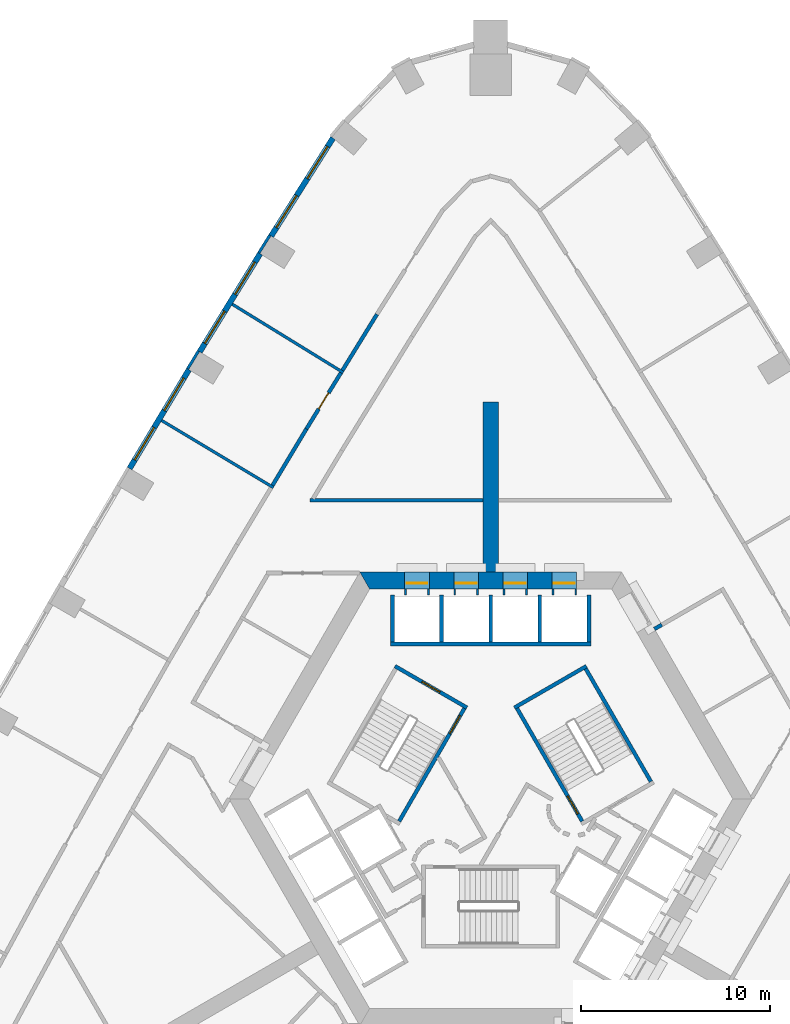
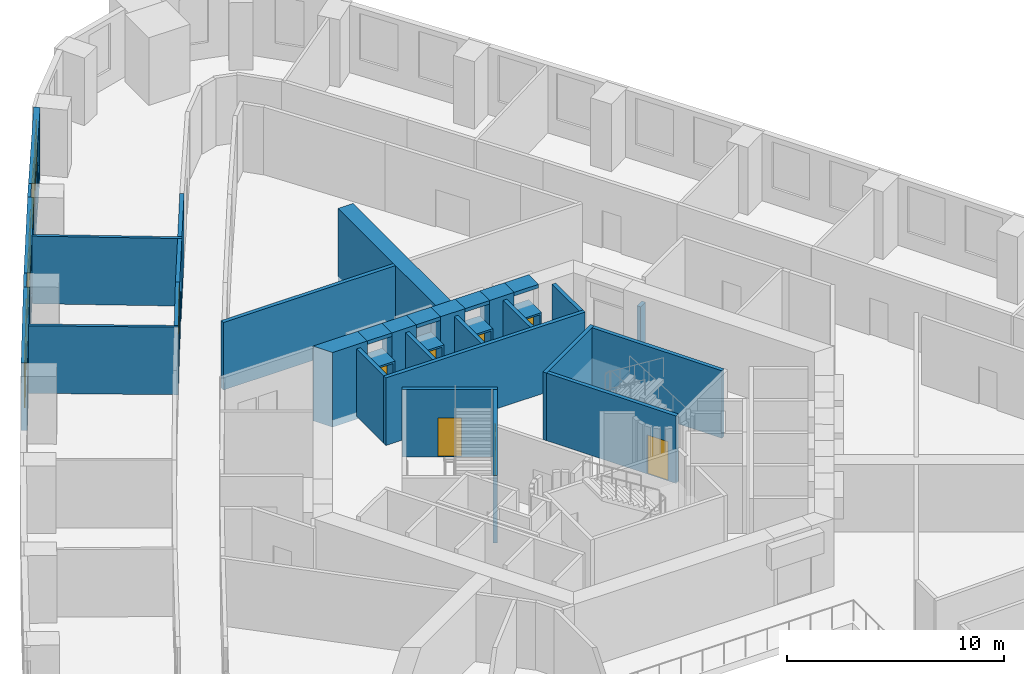
# One storey, part 9 of 14: 36 walls, 8 doors, 6 windows, 14 openings.
"""IFC4 building model written with IfcOpenShell, lengths in metres."""

from ifc_helpers import new_model, si_unit, direction, frame, frame_2d, origin, place, context, subcontext, project, spatial, polyline, rectangle, outline, extrude, material, layer, layer_set, type_object, element, fill, save


model = new_model("IFC4")

# Units and contexts
model_context = context("Model", 3, precision=1e-05, world=origin(), true_north=direction((0.0, 1.0)))
body_context = subcontext(model_context, "Body", "Model", "MODEL_VIEW")
ifc_project = project(units=[si_unit("LENGTHUNIT", "METRE"), si_unit("AREAUNIT", "SQUARE_METRE"), si_unit("VOLUMEUNIT", "CUBIC_METRE"), si_unit("PLANEANGLEUNIT", "RADIAN"), si_unit("MASSUNIT", "GRAM", prefix="KILO")], contexts=[model_context])

# Site, building, storey
site_placement = place(None, origin())
site = spatial("IfcSite", under=ifc_project, at=site_placement, CompositionType="ELEMENT")
building_placement = place(site_placement, origin())
building = spatial("IfcBuilding", under=site, at=building_placement, Name="Entoto Arch Interchange Tower", CompositionType="ELEMENT")
storey_placement = place(building_placement, frame((0.0, 0.0, 103.39990234375)))
storey = spatial("IfcBuildingStorey", under=building, at=storey_placement, Name="L22", CompositionType="ELEMENT", Elevation=103.39990234375)

# Walls
ifc_material_1 = material(Name="Concrete C60/75", Category="concrete")
ifc_layer_1 = layer(ifc_material_1, 0.800048828125)
ifc_layer_set_1 = layer_set([ifc_layer_1], Name="Concrete C60/75")
wall_type_1 = type_object("IfcWallType", Name="Buttress wall 800 C60/75", PredefinedType="SHEAR", material=ifc_layer_set_1)
wall_1_placement = place(storey_placement, frame((0.0, 14.5, -0.39990234375), z_axis=(0.0, 0.0, 1.0), x_axis=(0.0, 1.0, 0.0)))
element("IfcWall", 1, at=wall_1_placement, inside=storey, type_object=wall_type_1, Name="Buttress wall N L22", PredefinedType="SHEAR", context=body_context, shape_type="SweptSolid", body=[
    extrude(rectangle(XDim=9.0, YDim=0.800048828125, at=frame_2d((4.5, 0.0))), origin(), (0.0, 0.0, 1.0), 4.199951171875),
])
ifc_layer_2 = layer(ifc_material_1, 0.89990234375)
ifc_layer_set_2 = layer_set([ifc_layer_2], Name="Concrete C60/75")
wall_type_2 = type_object("IfcWallType", Name="Core wall 900 C60/75", PredefinedType="SHEAR", material=ifc_layer_set_2)
wall_2_placement = place(storey_placement, frame((0.0, 0.0, -0.39990234375)))
element("IfcWall", 2, at=wall_2_placement, inside=storey, type_object=wall_type_2, Name="Core wall N L22", PredefinedType="SHEAR", context=body_context, shape_type="SweptSolid", body=[
    extrude(outline(polyline([(1.949951171875, 14.5), (1.949951171875, 13.60009765625), (3.25, 13.60009765625), (3.25, 14.5), (1.949951171875, 14.5)])), origin(), (0.0, 0.0, 1.0), 4.199951171875),
])
wall_3_placement = place(storey_placement, frame((0.0, 0.0, -0.39990234375)))
element("IfcWall", 3, at=wall_3_placement, inside=storey, type_object=wall_type_2, Name="Core wall N L22", PredefinedType="SHEAR", context=body_context, shape_type="SweptSolid", body=[
    extrude(outline(polyline([(-0.64990234375, 14.5), (-0.64990234375, 13.60009765625), (0.64990234375, 13.60009765625), (0.64990234375, 14.5), (-0.64990234375, 14.5)])), origin(), (0.0, 0.0, 1.0), 4.199951171875),
])
wall_4_placement = place(storey_placement, frame((0.0, 0.0, -0.39990234375)))
element("IfcWall", 4, at=wall_4_placement, inside=storey, type_object=wall_type_2, Name="Core wall N L22", PredefinedType="SHEAR", context=body_context, shape_type="SweptSolid", body=[
    extrude(outline(polyline([(-3.25, 14.5), (-3.25, 13.60009765625), (-1.949951171875, 13.60009765625), (-1.949951171875, 14.5), (-3.25, 14.5)])), origin(), (0.0, 0.0, 1.0), 4.199951171875),
])
wall_5_placement = place(storey_placement, frame((0.0, 0.0, -0.39990234375)))
element("IfcWall", 5, at=wall_5_placement, inside=storey, type_object=wall_type_2, Name="Core wall N L22", PredefinedType="SHEAR", context=body_context, shape_type="SweptSolid", body=[
    extrude(outline(polyline([(-4.550048828125, 13.60009765625), (-4.550048828125, 14.5), (-6.927978515625, 14.5), (-6.408935546875, 13.60009765625), (-4.550048828125, 13.60009765625)])), origin(), (0.0, 0.0, 1.0), 4.199951171875),
])
wall_6_placement = place(storey_placement, frame((0.0, 0.0, 3.60009765625)))
element("IfcWall", 6, at=wall_6_placement, inside=storey, type_object=wall_type_2, Name="Core wall lintel N L22", PredefinedType="SHEAR", context=body_context, shape_type="SweptSolid", body=[
    extrude(outline(polyline([(3.25, 14.5), (3.25, 13.60009765625), (4.550048828125, 13.60009765625), (4.550048828125, 14.5), (3.25, 14.5)])), origin(), (0.0, 0.0, 1.0), 0.199951171875),
])
wall_7_placement = place(storey_placement, frame((0.0, 0.0, 3.60009765625)))
element("IfcWall", 7, at=wall_7_placement, inside=storey, type_object=wall_type_2, Name="Core wall lintel N L22", PredefinedType="SHEAR", context=body_context, shape_type="SweptSolid", body=[
    extrude(outline(polyline([(0.64990234375, 14.5), (0.64990234375, 13.60009765625), (1.949951171875, 13.60009765625), (1.949951171875, 14.5), (0.64990234375, 14.5)])), origin(), (0.0, 0.0, 1.0), 0.199951171875),
])
wall_8_placement = place(storey_placement, frame((0.0, 0.0, 3.60009765625)))
element("IfcWall", 8, at=wall_8_placement, inside=storey, type_object=wall_type_2, Name="Core wall lintel N L22", PredefinedType="SHEAR", context=body_context, shape_type="SweptSolid", body=[
    extrude(outline(polyline([(-1.949951171875, 14.5), (-1.949951171875, 13.60009765625), (-0.64990234375, 13.60009765625), (-0.64990234375, 14.5), (-1.949951171875, 14.5)])), origin(), (0.0, 0.0, 1.0), 0.199951171875),
])
wall_9_placement = place(storey_placement, frame((0.0, 0.0, 3.60009765625)))
element("IfcWall", 9, at=wall_9_placement, inside=storey, type_object=wall_type_2, Name="Core wall lintel N L22", PredefinedType="SHEAR", context=body_context, shape_type="SweptSolid", body=[
    extrude(outline(polyline([(-4.550048828125, 14.5), (-4.550048828125, 13.60009765625), (-3.25, 13.60009765625), (-3.25, 14.5), (-4.550048828125, 14.5)])), origin(), (0.0, 0.0, 1.0), 0.199951171875),
])

# Wall, opening, door
ifc_material_2 = material(Name="Concrete C40/50", Category="concrete")
ifc_layer_3 = layer(ifc_material_2, 1.199951171875)
ifc_layer_set_3 = layer_set([ifc_layer_3], Name="Concrete C40/50")
wall_type_3 = type_object("IfcWallType", Name="LIFT LANDING INFILL WALL", PredefinedType="STANDARD", material=ifc_layer_set_3)
wall_10_placement = place(storey_placement, frame((4.550048828125, 13.89990234375, 0.0), z_axis=(0.0, 0.0, 1.0), x_axis=(-1.0, 0.0, 0.0)))
wall_10 = element("IfcWall", 10, at=wall_10_placement, inside=storey, type_object=wall_type_3, Name="Lift landing infill wall LR1 L22", PredefinedType="STANDARD", context=body_context, shape_type="SweptSolid", body=[
    extrude(rectangle(XDim=1.300048828125, YDim=1.199951171875, at=frame_2d((0.64990234375, 0.0))), origin(), (0.0, 0.0, 1.0), 2.400146484375),
])
opening_1_placement = place(wall_10_placement, frame((0.10009765625, 0.0, 0.0)))
opening_1 = element("IfcOpeningElement", 11, at=opening_1_placement, cuts=wall_10, Name="Opening LD-LR1-L22", PredefinedType="OPENING", context=body_context, shape_type="SweptSolid", body=[
    extrude(rectangle(XDim=1.10009765625, YDim=2.300048828125, at=frame_2d((0.550048828125, 1.14990234375))), frame((0.0, 0.60986328125, 0.0), z_axis=(0.0, -1.0, 0.0), x_axis=(1.0, 0.0, 0.0)), (0.0, 0.0, 1.0), 1.219970703125),
])
ifc_material_3 = material(Name="Stainless steel 1.4301 panels", Category="steel")
door_type_1 = type_object("IfcDoorType", Name="LIFT LANDING DOOR LD2 1100x2300", OperationType="SLIDING_TO_LEFT", PredefinedType="DOOR", material=ifc_material_3)
door_1_placement = place(opening_1_placement, origin())
door_1 = element("IfcDoor", 12, at=door_1_placement, inside=storey, type_object=door_type_1, Name="Lift landing door LR1 L22", OperationType="SLIDING_TO_LEFT", OverallHeight=2.300048828125, OverallWidth=1.10009765625, PredefinedType="DOOR", context=body_context, shape_type="SweptSolid", body=[
    extrude(rectangle(XDim=1.10009765625, YDim=2.300048828125, at=frame_2d((0.550048828125, 1.14990234375))), frame((0.0, 0.02490234375, 0.0), z_axis=(0.0, -1.0, 0.0), x_axis=(1.0, 0.0, 0.0)), (0.0, 0.0, 1.0), 0.050048828125),
])
fill(opening_1, door_1)

wall_11_placement = place(storey_placement, frame((1.949951171875, 13.89990234375, 0.0), z_axis=(0.0, 0.0, 1.0), x_axis=(-1.0, 0.0, 0.0)))
wall_11 = element("IfcWall", 13, at=wall_11_placement, inside=storey, type_object=wall_type_3, Name="Lift landing infill wall LR2 L22", PredefinedType="STANDARD", context=body_context, shape_type="SweptSolid", body=[
    extrude(rectangle(XDim=1.300048828125, YDim=1.199951171875, at=frame_2d((0.64990234375, 0.0))), origin(), (0.0, 0.0, 1.0), 2.400146484375),
])
opening_2_placement = place(wall_11_placement, frame((0.10009765625, 0.0, 0.0)))
opening_2 = element("IfcOpeningElement", 14, at=opening_2_placement, cuts=wall_11, Name="Opening LD-LR2-L22", PredefinedType="OPENING", context=body_context, shape_type="SweptSolid", body=[
    extrude(rectangle(XDim=1.10009765625, YDim=2.300048828125, at=frame_2d((0.550048828125, 1.14990234375))), frame((0.0, 0.60986328125, 0.0), z_axis=(0.0, -1.0, 0.0), x_axis=(1.0, 0.0, 0.0)), (0.0, 0.0, 1.0), 1.219970703125),
])
door_2_placement = place(opening_2_placement, origin())
door_2 = element("IfcDoor", 15, at=door_2_placement, inside=storey, type_object=door_type_1, Name="Lift landing door LR2 L22", OperationType="SLIDING_TO_LEFT", OverallHeight=2.300048828125, OverallWidth=1.10009765625, PredefinedType="DOOR", context=body_context, shape_type="SweptSolid", body=[
    extrude(rectangle(XDim=1.10009765625, YDim=2.300048828125, at=frame_2d((0.550048828125, 1.14990234375))), frame((0.0, 0.02490234375, 0.0), z_axis=(0.0, -1.0, 0.0), x_axis=(1.0, 0.0, 0.0)), (0.0, 0.0, 1.0), 0.050048828125),
])
fill(opening_2, door_2)

wall_12_placement = place(storey_placement, frame((-0.64990234375, 13.89990234375, 0.0), z_axis=(0.0, 0.0, 1.0), x_axis=(-1.0, 0.0, 0.0)))
wall_12 = element("IfcWall", 16, at=wall_12_placement, inside=storey, type_object=wall_type_3, Name="Lift landing infill wall LR3 L22", PredefinedType="STANDARD", context=body_context, shape_type="SweptSolid", body=[
    extrude(rectangle(XDim=1.300048828125, YDim=1.199951171875, at=frame_2d((0.64990234375, 0.0))), origin(), (0.0, 0.0, 1.0), 2.400146484375),
])
opening_3_placement = place(wall_12_placement, frame((0.10009765625, 0.0, 0.0)))
opening_3 = element("IfcOpeningElement", 17, at=opening_3_placement, cuts=wall_12, Name="Opening LD-LR3-L22", PredefinedType="OPENING", context=body_context, shape_type="SweptSolid", body=[
    extrude(rectangle(XDim=1.10009765625, YDim=2.300048828125, at=frame_2d((0.550048828125, 1.14990234375))), frame((0.0, 0.60986328125, 0.0), z_axis=(0.0, -1.0, 0.0), x_axis=(1.0, 0.0, 0.0)), (0.0, 0.0, 1.0), 1.219970703125),
])
door_3_placement = place(opening_3_placement, origin())
door_3 = element("IfcDoor", 18, at=door_3_placement, inside=storey, type_object=door_type_1, Name="Lift landing door LR3 L22", OperationType="SLIDING_TO_LEFT", OverallHeight=2.300048828125, OverallWidth=1.10009765625, PredefinedType="DOOR", context=body_context, shape_type="SweptSolid", body=[
    extrude(rectangle(XDim=1.10009765625, YDim=2.300048828125, at=frame_2d((0.550048828125, 1.14990234375))), frame((0.0, 0.02490234375, 0.0), z_axis=(0.0, -1.0, 0.0), x_axis=(1.0, 0.0, 0.0)), (0.0, 0.0, 1.0), 0.050048828125),
])
fill(opening_3, door_3)

wall_13_placement = place(storey_placement, frame((-3.25, 13.89990234375, 0.0), z_axis=(0.0, 0.0, 1.0), x_axis=(-1.0, 0.0, 0.0)))
wall_13 = element("IfcWall", 19, at=wall_13_placement, inside=storey, type_object=wall_type_3, Name="Lift landing infill wall LR4 L22", PredefinedType="STANDARD", context=body_context, shape_type="SweptSolid", body=[
    extrude(rectangle(XDim=1.300048828125, YDim=1.199951171875, at=frame_2d((0.64990234375, 0.0))), origin(), (0.0, 0.0, 1.0), 2.400146484375),
])
opening_4_placement = place(wall_13_placement, frame((0.10009765625, 0.0, 0.0)))
opening_4 = element("IfcOpeningElement", 20, at=opening_4_placement, cuts=wall_13, Name="Opening LD-LR4-L22", PredefinedType="OPENING", context=body_context, shape_type="SweptSolid", body=[
    extrude(rectangle(XDim=1.10009765625, YDim=2.300048828125, at=frame_2d((0.550048828125, 1.14990234375))), frame((0.0, 0.60986328125, 0.0), z_axis=(0.0, -1.0, 0.0), x_axis=(1.0, 0.0, 0.0)), (0.0, 0.0, 1.0), 1.219970703125),
])
door_4_placement = place(opening_4_placement, origin())
door_4 = element("IfcDoor", 21, at=door_4_placement, inside=storey, type_object=door_type_1, Name="Lift landing door LR4 L22", OperationType="SLIDING_TO_LEFT", OverallHeight=2.300048828125, OverallWidth=1.10009765625, PredefinedType="DOOR", context=body_context, shape_type="SweptSolid", body=[
    extrude(rectangle(XDim=1.10009765625, YDim=2.300048828125, at=frame_2d((0.550048828125, 1.14990234375))), frame((0.0, 0.02490234375, 0.0), z_axis=(0.0, -1.0, 0.0), x_axis=(1.0, 0.0, 0.0)), (0.0, 0.0, 1.0), 0.050048828125),
])
fill(opening_4, door_4)

# Walls
ifc_layer_4 = layer(ifc_material_2, 0.199951171875)
ifc_layer_set_4 = layer_set([ifc_layer_4], Name="Concrete C40/50")
wall_type_4 = type_object("IfcWallType", Name="LIFT SHAFT WALL 200", PredefinedType="STANDARD", material=ifc_layer_set_4)
wall_14_placement = place(storey_placement, frame((5.300048828125, 10.699951171875, 0.0), z_axis=(0.0, 0.0, 1.0), x_axis=(-1.0, 0.0, 0.0)))
element("IfcWall", 22, at=wall_14_placement, inside=storey, type_object=wall_type_4, Name="Shaft wall N3 front", PredefinedType="STANDARD", context=body_context, shape_type="SweptSolid", body=[
    extrude(rectangle(XDim=10.60009765625, YDim=0.199951171875, at=frame_2d((5.300048828125, 0.0))), origin(), (0.0, 0.0, 1.0), 3.800048828125),
])
for number, where, z_axis, x_axis, name in (
    (23, (5.199951171875, 10.800048828125, 0.0), (0.0, 0.0, 1.0), (0.0, 1.0, 0.0), "Shaft wall N3 cross 1"),
    (24, (2.60009765625, 10.800048828125, 0.0), (0.0, 0.0, 1.0), (0.0, 1.0, 0.0), "Shaft wall N3 cross 2"),
    (25, (0.0, 10.800048828125, 0.0), (0.0, 0.0, 1.0), (0.0, 1.0, 0.0), "Shaft wall N3 cross 3"),
    (26, (-2.60009765625, 10.800048828125, 0.0), (0.0, 0.0, 1.0), (0.0, 1.0, 0.0), "Shaft wall N3 cross 4"),
    (27, (-5.199951171875, 10.800048828125, 0.0), (0.0, 0.0, 1.0), (0.0, 1.0, 0.0), "Shaft wall N3 cross 5"),
):
    element("IfcWall", number, at=place(storey_placement, frame(where, z_axis=z_axis, x_axis=x_axis)), inside=storey, type_object=wall_type_4, Name=name, PredefinedType="STANDARD", context=body_context, shape_type="SweptSolid", body=[
        extrude(rectangle(XDim=2.5, YDim=0.199951171875, at=frame_2d((1.25, 0.0))), origin(), (0.0, 0.0, 1.0), 3.800048828125),
    ])
ifc_material_4 = material(Name="Gypsum board partition on steel studs", Category="steel")
ifc_layer_5 = layer(ifc_material_4, 0.14990234375)
ifc_layer_set_5 = layer_set([ifc_layer_5], Name="Gypsum board partition on steel studs")
wall_type_5 = type_object("IfcWallType", Name="PARTITION 150", PredefinedType="PARTITIONING", material=ifc_layer_set_5)
wall_15_placement = place(storey_placement, frame((-7.802001953125, 25.06396484375, 0.0), z_axis=(0.0, 0.0, 1.0), x_axis=(-0.851596352662, 0.524198103901, 0.0)))
element("IfcWall", 28, at=wall_15_placement, inside=storey, type_object=wall_type_5, Name="wall:L22:p146", PredefinedType="PARTITIONING", context=body_context, shape_type="SweptSolid", body=[
    extrude(rectangle(XDim=6.89990234375, YDim=0.14990234375, at=frame_2d((3.449951171875, 0.0))), origin(), (0.0, 0.0, 1.0), 3.800048828125),
])
wall_16_placement = place(storey_placement, frame((-11.501953125, 18.97705078125, 0.0), z_axis=(0.0, 0.0, 1.0), x_axis=(-0.857464824073, 0.514542588595, 0.0)))
element("IfcWall", 29, at=wall_16_placement, inside=storey, type_object=wall_type_5, Name="wall:L22:p147", PredefinedType="PARTITIONING", context=body_context, shape_type="SweptSolid", body=[
    extrude(rectangle(XDim=6.8994140625, YDim=0.14990234375, at=frame_2d((3.44970703125, 0.0))), origin(), (0.0, 0.0, 1.0), 3.800048828125),
])
ifc_layer_6 = layer(ifc_material_4, 0.199951171875)
ifc_layer_set_6 = layer_set([ifc_layer_6], Name="Gypsum board partition on steel studs")
wall_type_6 = type_object("IfcWallType", Name="PARTITION 200", PredefinedType="PARTITIONING", material=ifc_layer_set_6)
wall_17_placement = place(storey_placement, frame((-7.847900390625, 25.179931640625, 0.0), z_axis=(0.0, 0.0, 1.0), x_axis=(0.524062258075, 0.851679957297, 0.0)))
element("IfcWall", 30, at=wall_17_placement, inside=storey, type_object=wall_type_6, Name="wall:L22:p059", PredefinedType="PARTITIONING", context=body_context, shape_type="SweptSolid", body=[
    extrude(rectangle(XDim=3.486083984375, YDim=0.199951171875, at=frame_2d((1.7431640625, 0.0))), origin(), (0.0, 0.0, 1.0), 3.800048828125),
])
wall_18_placement = place(storey_placement, frame((-11.549072265625, 19.092041015625, 0.0), z_axis=(0.0, 0.0, 1.0), x_axis=(0.514536939864, 0.857468213705, 0.0)))
element("IfcWall", 31, at=wall_18_placement, inside=storey, type_object=wall_type_6, Name="wall:L22:p065", PredefinedType="PARTITIONING", context=body_context, shape_type="SweptSolid", body=[
    extrude(rectangle(XDim=3.487060546875, YDim=0.199951171875, at=frame_2d((1.74365234375, 0.0))), origin(), (0.0, 0.0, 1.0), 3.800048828125),
])

# Wall, opening, door
wall_19_placement = place(storey_placement, frame((-9.7548828125, 22.08203125, 0.0), z_axis=(0.0, 0.0, 1.0), x_axis=(0.524140390501, 0.851631875311, 0.0)))
wall_19 = element("IfcWall", 32, at=wall_19_placement, inside=storey, type_object=wall_type_6, Name="wall:L22:p066", PredefinedType="PARTITIONING", context=body_context, shape_type="SweptSolid", body=[
    extrude(rectangle(XDim=3.4873046875, YDim=0.199951171875, at=frame_2d((1.74365234375, 0.0))), origin(), (0.0, 0.0, 1.0), 3.800048828125),
])
opening_5_placement = place(wall_19_placement, frame((1.243896484375, 0.0, 0.0)))
opening_5 = element("IfcOpeningElement", 33, at=opening_5_placement, cuts=wall_19, Name="Opening L22-D11", PredefinedType="OPENING", context=body_context, shape_type="SweptSolid", body=[
    extrude(rectangle(XDim=1.0, YDim=2.10009765625, at=frame_2d((0.5, 1.050048828125))), frame((0.0, 0.10986328125, 0.0), z_axis=(0.0, -1.0, 0.0), x_axis=(1.0, 0.0, 0.0)), (0.0, 0.0, 1.0), 0.219970703125),
])
ifc_material_5 = material(Name="Timber door leaf in Steel S235 frame", Category="steel")
door_type_2 = type_object("IfcDoorType", Name="DOOR DS-10 1000x2100", OperationType="SINGLE_SWING_LEFT", PredefinedType="DOOR", material=ifc_material_5)
door_5_placement = place(opening_5_placement, origin())
door_5 = element("IfcDoor", 34, at=door_5_placement, inside=storey, type_object=door_type_2, Name="door:L22:11", OperationType="SINGLE_SWING_LEFT", OverallHeight=2.10009765625, OverallWidth=1.0, PredefinedType="DOOR", context=body_context, shape_type="SweptSolid", body=[
    extrude(rectangle(XDim=1.0, YDim=2.10009765625, at=frame_2d((0.5, 1.050048828125))), frame((0.0, 0.02490234375, 0.0), z_axis=(0.0, -1.0, 0.0), x_axis=(1.0, 0.0, 0.0)), (0.0, 0.0, 1.0), 0.050048828125),
])
fill(opening_5, door_5)

# Walls
wall_20_placement = place(storey_placement, frame((-9.55908203125, 18.300048828125, 0.0), z_axis=(0.0, 0.0, 1.0), x_axis=(1.0, 0.0, 0.0)))
element("IfcWall", 35, at=wall_20_placement, inside=storey, type_object=wall_type_6, Name="wall:L22:p120", PredefinedType="PARTITIONING", context=body_context, shape_type="SweptSolid", body=[
    extrude(rectangle(XDim=9.1591796875, YDim=0.199951171875, at=frame_2d((4.57958984375, 0.0))), origin(), (0.0, 0.0, 1.0), 3.800048828125),
])
wall_21_placement = place(storey_placement, frame((9.056884765625, 11.712890625, 0.0), z_axis=(0.0, 0.0, 1.0), x_axis=(-0.866266849364, -0.49958157061, 0.0)))
element("IfcWall", 36, at=wall_21_placement, inside=storey, type_object=wall_type_6, Name="wall:L22:p008", PredefinedType="PARTITIONING", context=body_context, shape_type="SweptSolid", body=[
    extrude(rectangle(XDim=0.4501953125, YDim=0.199951171875, at=frame_2d((0.22509765625, 0.0))), origin(), (0.0, 0.0, 1.0), 2.400146484375),
])
ifc_layer_7 = layer(ifc_material_2, 0.199951171875)
ifc_layer_set_7 = layer_set([ifc_layer_7], Name="Concrete C40/50")
wall_type_7 = type_object("IfcWallType", Name="STAIR ENCLOSURE WALL 200", PredefinedType="STANDARD", material=ifc_layer_set_7)
wall_22_placement = place(storey_placement, frame((1.256103515625, 7.323974609375, 0.0), z_axis=(0.0, 0.0, 1.0), x_axis=(0.866046073146, 0.499964197906, 0.0)))
element("IfcWall", 37, at=wall_22_placement, inside=storey, type_object=wall_type_7, Name="Stair wall ST-NE far", PredefinedType="STANDARD", context=body_context, shape_type="SweptSolid", body=[
    extrude(rectangle(XDim=4.400146484375, YDim=0.199951171875, at=frame_2d((2.2001953125, 0.0))), origin(), (0.0, 0.0, 1.0), 3.800048828125),
])

# Wall, opening, door
wall_23_placement = place(storey_placement, frame((4.843017578125, 1.31201171875, 0.0), z_axis=(0.0, 0.0, 1.0), x_axis=(-0.499963383562, 0.866046543262, 0.0)))
wall_23 = element("IfcWall", 38, at=wall_23_placement, inside=storey, type_object=wall_type_7, Name="Stair wall ST-NE hall", PredefinedType="STANDARD", context=body_context, shape_type="SweptSolid", body=[
    extrude(rectangle(XDim=6.900390625, YDim=0.199951171875, at=frame_2d((3.4501953125, 0.0))), origin(), (0.0, 0.0, 1.0), 3.800048828125),
])
opening_6_placement = place(wall_23_placement, frame((0.449951171875, 0.0, 0.0)))
opening_6 = element("IfcOpeningElement", 39, at=opening_6_placement, cuts=wall_23, Name="Opening SD-ST-NE-L22", PredefinedType="OPENING", context=body_context, shape_type="SweptSolid", body=[
    extrude(rectangle(XDim=1.10009765625, YDim=2.199951171875, at=frame_2d((0.550048828125, 1.10009765625))), frame((0.0, 0.10986328125, 0.0), z_axis=(0.0, -1.0, 0.0), x_axis=(1.0, 0.0, 0.0)), (0.0, 0.0, 1.0), 0.219970703125),
])
ifc_material_6 = material(Name="Steel S235", Category="steel")
door_type_3 = type_object("IfcDoorType", Name="STAIR DOOR SD1 1100x2200", OperationType="SINGLE_SWING_LEFT", PredefinedType="DOOR", material=ifc_material_6)
door_6_placement = place(opening_6_placement, origin())
door_6 = element("IfcDoor", 40, at=door_6_placement, inside=storey, type_object=door_type_3, Name="Stair door ST-NE L22", OperationType="SINGLE_SWING_LEFT", OverallHeight=2.199951171875, OverallWidth=1.10009765625, PredefinedType="DOOR", context=body_context, shape_type="SweptSolid", body=[
    extrude(rectangle(XDim=1.10009765625, YDim=2.199951171875, at=frame_2d((0.550048828125, 1.10009765625))), frame((0.0, 0.02490234375, 0.0), z_axis=(0.0, -1.0, 0.0), x_axis=(1.0, 0.0, 0.0)), (0.0, 0.0, 1.0), 0.050048828125),
])
fill(opening_6, door_6)

# Wall
wall_24_placement = place(storey_placement, frame((8.47998046875, 3.412109375, 0.0), z_axis=(0.0, 0.0, 1.0), x_axis=(-0.499978703459, 0.866037698999, 0.0)))
element("IfcWall", 41, at=wall_24_placement, inside=storey, type_object=wall_type_7, Name="Stair wall ST-NE back", PredefinedType="STANDARD", context=body_context, shape_type="SweptSolid", body=[
    extrude(rectangle(XDim=6.900146484375, YDim=0.199951171875, at=frame_2d((3.4501953125, 0.0))), origin(), (0.0, 0.0, 1.0), 3.800048828125),
])

# Wall, opening, door
wall_25_placement = place(storey_placement, frame((-1.256103515625, 7.323974609375, 0.0), z_axis=(0.0, 0.0, 1.0), x_axis=(-0.866046073146, 0.499964197906, 0.0)))
wall_25 = element("IfcWall", 42, at=wall_25_placement, inside=storey, type_object=wall_type_7, Name="Stair wall ST-NW near", PredefinedType="STANDARD", context=body_context, shape_type="SweptSolid", body=[
    extrude(rectangle(XDim=4.400146484375, YDim=0.199951171875, at=frame_2d((2.2001953125, 0.0))), origin(), (0.0, 0.0, 1.0), 3.800048828125),
])
opening_7_placement = place(wall_25_placement, frame((1.64990234375, 0.0, 0.0)))
opening_7 = element("IfcOpeningElement", 43, at=opening_7_placement, cuts=wall_25, Name="Opening SD-ST-NW-L22-E", PredefinedType="OPENING", context=body_context, shape_type="SweptSolid", body=[
    extrude(rectangle(XDim=1.10009765625, YDim=2.199951171875, at=frame_2d((0.550048828125, 1.10009765625))), frame((0.0, 0.10986328125, 0.0), z_axis=(0.0, -1.0, 0.0), x_axis=(1.0, 0.0, 0.0)), (0.0, 0.0, 1.0), 0.219970703125),
])
door_7_placement = place(opening_7_placement, origin())
door_7 = element("IfcDoor", 44, at=door_7_placement, inside=storey, type_object=door_type_3, Name="Stair door ST-NW L22 end", OperationType="SINGLE_SWING_LEFT", OverallHeight=2.199951171875, OverallWidth=1.10009765625, PredefinedType="DOOR", context=body_context, shape_type="SweptSolid", body=[
    extrude(rectangle(XDim=1.10009765625, YDim=2.199951171875, at=frame_2d((0.550048828125, 1.10009765625))), frame((0.0, 0.02490234375, 0.0), z_axis=(0.0, -1.0, 0.0), x_axis=(1.0, 0.0, 0.0)), (0.0, 0.0, 1.0), 0.050048828125),
])
fill(opening_7, door_7)

wall_26_placement = place(storey_placement, frame((-1.39306640625, 7.2880859375, 0.0), z_axis=(0.0, 0.0, 1.0), x_axis=(-0.499963383562, -0.866046543262, 0.0)))
wall_26 = element("IfcWall", 45, at=wall_26_placement, inside=storey, type_object=wall_type_7, Name="Stair wall ST-NW hall", PredefinedType="STANDARD", context=body_context, shape_type="SweptSolid", body=[
    extrude(rectangle(XDim=6.900390625, YDim=0.199951171875, at=frame_2d((3.4501953125, 0.0))), origin(), (0.0, 0.0, 1.0), 3.800048828125),
])
opening_8_placement = place(wall_26_placement, frame((0.449951171875, 0.0, 0.0)))
opening_8 = element("IfcOpeningElement", 46, at=opening_8_placement, cuts=wall_26, Name="Opening SD-ST-NW-L22", PredefinedType="OPENING", context=body_context, shape_type="SweptSolid", body=[
    extrude(rectangle(XDim=1.10009765625, YDim=2.199951171875, at=frame_2d((0.550048828125, 1.10009765625))), frame((0.0, 0.10986328125, 0.0), z_axis=(0.0, -1.0, 0.0), x_axis=(1.0, 0.0, 0.0)), (0.0, 0.0, 1.0), 0.219970703125),
])
door_8_placement = place(opening_8_placement, origin())
door_8 = element("IfcDoor", 47, at=door_8_placement, inside=storey, type_object=door_type_3, Name="Stair door ST-NW L22", OperationType="SINGLE_SWING_LEFT", OverallHeight=2.199951171875, OverallWidth=1.10009765625, PredefinedType="DOOR", context=body_context, shape_type="SweptSolid", body=[
    extrude(rectangle(XDim=1.10009765625, YDim=2.199951171875, at=frame_2d((0.550048828125, 1.10009765625))), frame((0.0, 0.02490234375, 0.0), z_axis=(0.0, -1.0, 0.0), x_axis=(1.0, 0.0, 0.0)), (0.0, 0.0, 1.0), 0.050048828125),
])
fill(opening_8, door_8)

# Wall, openings, windows
ifc_material_7 = material(Name="Welded tuff (ignimbrite) cladding, warm buff", Category="masonry")
ifc_layer_8 = layer(ifc_material_7, 0.300048828125)
ifc_layer_set_8 = layer_set([ifc_layer_8], Name="Welded tuff (ignimbrite) cladding, warm buff")
wall_type_8 = type_object("IfcWallType", Name="STONE INFILL WALL 300", PredefinedType="STANDARD", material=ifc_layer_set_8)
wall_27_placement = place(storey_placement, frame((-8.347900390625, 37.47998046875, 0.0), z_axis=(0.0, 0.0, 1.0), x_axis=(-0.534018429465, -0.845472836342, 0.0)))
wall_27 = element("IfcWall", 48, at=wall_27_placement, inside=storey, type_object=wall_type_8, Name="Facade wall NW-01 L22", PredefinedType="STANDARD", context=body_context, shape_type="SweptSolid", body=[
    extrude(rectangle(XDim=6.138427734375, YDim=0.300048828125, at=frame_2d((3.0693359375, 0.0))), origin(), (0.0, 0.0, 1.0), 3.800048828125),
])
opening_9_placement = place(wall_27_placement, frame((0.534912109375, 0.0, 0.89990234375)))
opening_9 = element("IfcOpeningElement", 49, at=opening_9_placement, cuts=wall_27, Name="Opening WO-C", PredefinedType="OPENING", context=body_context, shape_type="SweptSolid", body=[
    extrude(rectangle(XDim=2.0, YDim=2.60009765625, at=frame_2d((1.0, 1.300048828125))), frame((0.0, 0.16015625, 0.0), z_axis=(0.0, -1.0, 0.0), x_axis=(1.0, 0.0, 0.0)), (0.0, 0.0, 1.0), 0.320068359375),
])
opening_10_placement = place(wall_27_placement, frame((3.60400390625, 0.0, 0.89990234375)))
opening_10 = element("IfcOpeningElement", 50, at=opening_10_placement, cuts=wall_27, Name="Opening WO-C", PredefinedType="OPENING", context=body_context, shape_type="SweptSolid", body=[
    extrude(rectangle(XDim=2.0, YDim=2.60009765625, at=frame_2d((1.0, 1.300048828125))), frame((0.0, 0.16015625, 0.0), z_axis=(0.0, -1.0, 0.0), x_axis=(1.0, 0.0, 0.0)), (0.0, 0.0, 1.0), 0.320068359375),
])
ifc_material_8 = material(Name="Clear glass, low-e double glazed", Category="glass")
window_type = type_object("IfcWindowType", Name="WINDOW WO-C 2000x2600", PartitioningType="DOUBLE_PANEL_VERTICAL", PredefinedType="WINDOW", material=ifc_material_8)
window_1_placement = place(opening_9_placement, origin())
window_1 = element("IfcWindow", 51, at=window_1_placement, inside=storey, type_object=window_type, Name="Window WO-C NW-01 L22", OverallHeight=2.60009765625, OverallWidth=2.0, PartitioningType="SINGLE_PANEL", PredefinedType="WINDOW", context=body_context, shape_type="SweptSolid", body=[
    extrude(rectangle(XDim=2.0, YDim=2.60009765625, at=frame_2d((1.0, 1.300048828125))), frame((0.0, 0.030029296875, 0.0), z_axis=(0.0, -1.0, 0.0), x_axis=(1.0, 0.0, 0.0)), (0.0, 0.0, 1.0), 0.06005859375),
])
fill(opening_9, window_1)
window_2_placement = place(opening_10_placement, origin())
window_2 = element("IfcWindow", 52, at=window_2_placement, inside=storey, type_object=window_type, Name="Window WO-C NW-01 L22", OverallHeight=2.60009765625, OverallWidth=2.0, PartitioningType="SINGLE_PANEL", PredefinedType="WINDOW", context=body_context, shape_type="SweptSolid", body=[
    extrude(rectangle(XDim=2.0, YDim=2.60009765625, at=frame_2d((1.0, 1.300048828125))), frame((0.0, 0.030029296875, 0.0), z_axis=(0.0, -1.0, 0.0), x_axis=(1.0, 0.0, 0.0)), (0.0, 0.0, 1.0), 0.06005859375),
])
fill(opening_10, window_2)

wall_28_placement = place(storey_placement, frame((-12.20703125, 31.35791015625, 0.0), z_axis=(0.0, 0.0, 1.0), x_axis=(-0.524121974895, -0.851643208998, 0.0)))
wall_28 = element("IfcWall", 53, at=wall_28_placement, inside=storey, type_object=wall_type_8, Name="Facade wall NW-02 L22", PredefinedType="STANDARD", context=body_context, shape_type="SweptSolid", body=[
    extrude(rectangle(XDim=6.103515625, YDim=0.300048828125, at=frame_2d((3.0517578125, 0.0))), origin(), (0.0, 0.0, 1.0), 3.800048828125),
])
opening_11_placement = place(wall_28_placement, frame((0.52587890625, 0.0, 0.89990234375)))
opening_11 = element("IfcOpeningElement", 54, at=opening_11_placement, cuts=wall_28, Name="Opening WO-C", PredefinedType="OPENING", context=body_context, shape_type="SweptSolid", body=[
    extrude(rectangle(XDim=2.0, YDim=2.60009765625, at=frame_2d((1.0, 1.300048828125))), frame((0.0, 0.16015625, 0.0), z_axis=(0.0, -1.0, 0.0), x_axis=(1.0, 0.0, 0.0)), (0.0, 0.0, 1.0), 0.320068359375),
])
opening_12_placement = place(wall_28_placement, frame((3.577880859375, 0.0, 0.89990234375)))
opening_12 = element("IfcOpeningElement", 55, at=opening_12_placement, cuts=wall_28, Name="Opening WO-C", PredefinedType="OPENING", context=body_context, shape_type="SweptSolid", body=[
    extrude(rectangle(XDim=2.0, YDim=2.60009765625, at=frame_2d((1.0, 1.300048828125))), frame((0.0, 0.16015625, 0.0), z_axis=(0.0, -1.0, 0.0), x_axis=(1.0, 0.0, 0.0)), (0.0, 0.0, 1.0), 0.320068359375),
])
window_3_placement = place(opening_11_placement, origin())
window_3 = element("IfcWindow", 56, at=window_3_placement, inside=storey, type_object=window_type, Name="Window WO-C NW-02 L22", OverallHeight=2.60009765625, OverallWidth=2.0, PartitioningType="SINGLE_PANEL", PredefinedType="WINDOW", context=body_context, shape_type="SweptSolid", body=[
    extrude(rectangle(XDim=2.0, YDim=2.60009765625, at=frame_2d((1.0, 1.300048828125))), frame((0.0, 0.030029296875, 0.0), z_axis=(0.0, -1.0, 0.0), x_axis=(1.0, 0.0, 0.0)), (0.0, 0.0, 1.0), 0.06005859375),
])
fill(opening_11, window_3)
window_4_placement = place(opening_12_placement, origin())
window_4 = element("IfcWindow", 57, at=window_4_placement, inside=storey, type_object=window_type, Name="Window WO-C NW-02 L22", OverallHeight=2.60009765625, OverallWidth=2.0, PartitioningType="SINGLE_PANEL", PredefinedType="WINDOW", context=body_context, shape_type="SweptSolid", body=[
    extrude(rectangle(XDim=2.0, YDim=2.60009765625, at=frame_2d((1.0, 1.300048828125))), frame((0.0, 0.030029296875, 0.0), z_axis=(0.0, -1.0, 0.0), x_axis=(1.0, 0.0, 0.0)), (0.0, 0.0, 1.0), 0.06005859375),
])
fill(opening_12, window_4)

wall_29_placement = place(storey_placement, frame((-15.97607421875, 25.220947265625, 0.0), z_axis=(0.0, 0.0, 1.0), x_axis=(-0.514560454873, -0.857454102726, 0.0)))
wall_29 = element("IfcWall", 58, at=wall_29_placement, inside=storey, type_object=wall_type_8, Name="Facade wall NW-03 L22", PredefinedType="STANDARD", context=body_context, shape_type="SweptSolid", body=[
    extrude(rectangle(XDim=6.10400390625, YDim=0.300048828125, at=frame_2d((3.052001953125, 0.0))), origin(), (0.0, 0.0, 1.0), 3.800048828125),
])
opening_13_placement = place(wall_29_placement, frame((0.52587890625, 0.0, 0.89990234375)))
opening_13 = element("IfcOpeningElement", 59, at=opening_13_placement, cuts=wall_29, Name="Opening WO-C", PredefinedType="OPENING", context=body_context, shape_type="SweptSolid", body=[
    extrude(rectangle(XDim=2.0, YDim=2.60009765625, at=frame_2d((1.0, 1.300048828125))), frame((0.0, 0.16015625, 0.0), z_axis=(0.0, -1.0, 0.0), x_axis=(1.0, 0.0, 0.0)), (0.0, 0.0, 1.0), 0.320068359375),
])
opening_14_placement = place(wall_29_placement, frame((3.577880859375, 0.0, 0.89990234375)))
opening_14 = element("IfcOpeningElement", 60, at=opening_14_placement, cuts=wall_29, Name="Opening WO-C", PredefinedType="OPENING", context=body_context, shape_type="SweptSolid", body=[
    extrude(rectangle(XDim=2.0, YDim=2.60009765625, at=frame_2d((1.0, 1.300048828125))), frame((0.0, 0.16015625, 0.0), z_axis=(0.0, -1.0, 0.0), x_axis=(1.0, 0.0, 0.0)), (0.0, 0.0, 1.0), 0.320068359375),
])
window_5_placement = place(opening_13_placement, origin())
window_5 = element("IfcWindow", 61, at=window_5_placement, inside=storey, type_object=window_type, Name="Window WO-C NW-03 L22", OverallHeight=2.60009765625, OverallWidth=2.0, PartitioningType="SINGLE_PANEL", PredefinedType="WINDOW", context=body_context, shape_type="SweptSolid", body=[
    extrude(rectangle(XDim=2.0, YDim=2.60009765625, at=frame_2d((1.0, 1.300048828125))), frame((0.0, 0.030029296875, 0.0), z_axis=(0.0, -1.0, 0.0), x_axis=(1.0, 0.0, 0.0)), (0.0, 0.0, 1.0), 0.06005859375),
])
fill(opening_13, window_5)
window_6_placement = place(opening_14_placement, origin())
window_6 = element("IfcWindow", 62, at=window_6_placement, inside=storey, type_object=window_type, Name="Window WO-C NW-03 L22", OverallHeight=2.60009765625, OverallWidth=2.0, PartitioningType="SINGLE_PANEL", PredefinedType="WINDOW", context=body_context, shape_type="SweptSolid", body=[
    extrude(rectangle(XDim=2.0, YDim=2.60009765625, at=frame_2d((1.0, 1.300048828125))), frame((0.0, 0.030029296875, 0.0), z_axis=(0.0, -1.0, 0.0), x_axis=(1.0, 0.0, 0.0)), (0.0, 0.0, 1.0), 0.06005859375),
])
fill(opening_14, window_6)

# Walls
ifc_layer_9 = layer(ifc_material_7, 0.14990234375)
ifc_layer_set_9 = layer_set([ifc_layer_9], Name="Welded tuff (ignimbrite) cladding, warm buff")
wall_type_9 = type_object("IfcWallType", Name="STONE PIER CLADDING 150", PredefinedType="STANDARD", material=ifc_layer_set_9)
for number, where, z_axis, x_axis, name in (
    (63, (-11.69091796875, 32.33203125, 0.0), (0.0, 0.0, 1.0), (-0.529879262372, -0.848073090782, 0.0), "Stone pier NW02 L22"),
    (64, (-15.471923828125, 26.200927734375, 0.0), (0.0, 0.0, 1.0), (-0.519869515594, -0.854245682901, 0.0), "Stone pier NW03 L22"),
):
    element("IfcWall", number, at=place(storey_placement, frame(where, z_axis=z_axis, x_axis=x_axis)), inside=storey, type_object=wall_type_9, Name=name, PredefinedType="STANDARD", context=body_context, shape_type="SweptSolid", body=[
        extrude(rectangle(XDim=1.100341796875, YDim=0.14990234375, at=frame_2d((0.55029296875, 0.0))), origin(), (0.0, 0.0, 1.0), 3.800048828125),
    ])

save(model, "model.ifc")
